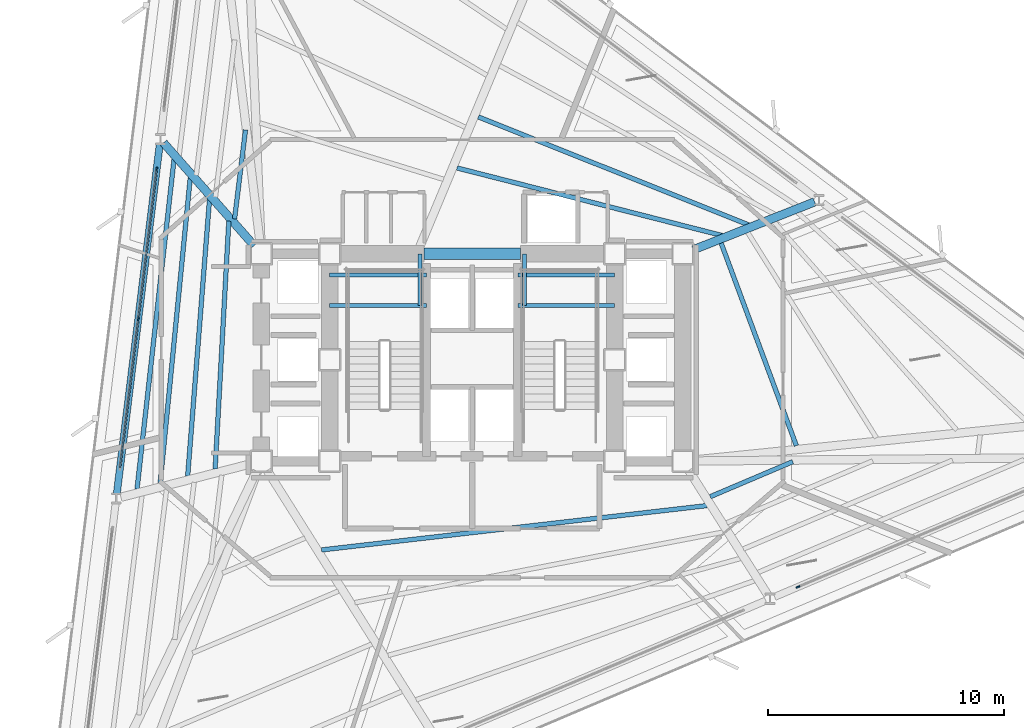
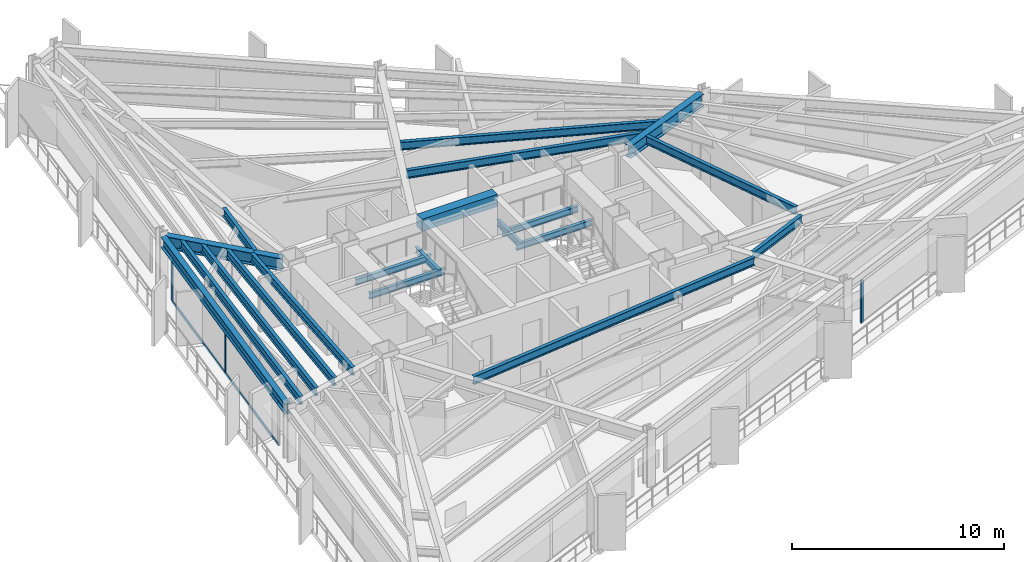
# One storey, part 3 of 13: 20 beams, 7 members, 2 elements without a shape of their own.
"""IFC4 building model written with IfcOpenShell, lengths in metres."""

from ifc_helpers import new_model, si_unit, direction, frame, origin, origin_2d, place, context, subcontext, project, spatial, rectangle, i_section, extrude, material, layer, layer_set, material_profile, profile_set, type_object, element, aggregate, save


model = new_model("IFC4")

# Units and contexts
model_context = context("Model", 3, precision=1e-05, world=origin(), true_north=direction((0.0, 1.0)))
body_context = subcontext(model_context, "Body", "Model", "MODEL_VIEW")
ifc_project = project(units=[si_unit("LENGTHUNIT", "METRE"), si_unit("AREAUNIT", "SQUARE_METRE"), si_unit("VOLUMEUNIT", "CUBIC_METRE"), si_unit("PLANEANGLEUNIT", "RADIAN"), si_unit("MASSUNIT", "GRAM", prefix="KILO")], contexts=[model_context])

# Site, building, storey
site_placement = place(None, origin())
site = spatial("IfcSite", under=ifc_project, at=site_placement, CompositionType="ELEMENT")
building_placement = place(site_placement, origin())
building = spatial("IfcBuilding", under=site, at=building_placement, Name="Rocaltana Carrier Exchange", CompositionType="ELEMENT")
storey_placement = place(building_placement, frame((0.0, 0.0, 52.9599609375)))
storey = spatial("IfcBuildingStorey", under=building, at=storey_placement, Name="L16", CompositionType="ELEMENT", Elevation=52.9599609375)

# Curtain wall, members
ifc_material_1 = material(Name="Aluminium 6063-T6", Category="aluminium")
ifc_layer = layer(ifc_material_1, 0.1650390625)
ifc_layer_set = layer_set([ifc_layer], Name="Aluminium 6063-T6")
curtain_wall_type = type_object("IfcCurtainWallType", Name="Lower-Mid Stepped Curtain Wall CW-02", PredefinedType="NOTDEFINED", material=ifc_layer_set)
curtain_wall_1_placement = place(storey_placement, origin())
curtain_wall_1 = element("IfcCurtainWall", 1, at=curtain_wall_1_placement, inside=storey, type_object=curtain_wall_type, Name="L16 CW-02 Run CW-L16-F2S2", PredefinedType="NOTDEFINED")
ifc_material_2 = material(Name="Aluminium 6063-T6", Category="aluminium")
ifc_material_profile_1 = material_profile(ifc_material_2, rectangle(XDim=0.06494140625, YDim=0.1650390625, at=origin_2d()), Name="AL-65X165")
ifc_profile_set_1 = profile_set([ifc_material_profile_1], Name="Aluminium 6063-T6")
member_type_1 = type_object("IfcMemberType", Name="CW-02 Mullion AL-65X165", PredefinedType="MULLION", material=ifc_profile_set_1)
member_1_placement = place(storey_placement, frame((-13.39404296875, 8.093505859375, 0.0), z_axis=(0.0, 0.0, 1.0), x_axis=(0.992545632614, -0.121873570472, 0.0)))
member_1 = element("IfcMember", 2, at=member_1_placement, type_object=member_type_1, Name="CW-02 mullion 1", PredefinedType="MULLION", context=body_context, shape_type="SweptSolid", body=[
    extrude(rectangle(XDim=0.06494140625, YDim=0.1650390625, at=origin_2d()), origin(), (0.0, 0.0, 1.0), 2.47802734375),
])
member_2_placement = place(storey_placement, frame((-14.17431640625, 1.740234375, 0.0), z_axis=(0.0, 0.0, 1.0), x_axis=(0.992545632614, -0.121873570472, 0.0)))
member_2 = element("IfcMember", 3, at=member_2_placement, type_object=member_type_1, Name="CW-02 mullion 2", PredefinedType="MULLION", context=body_context, shape_type="SweptSolid", body=[
    extrude(rectangle(XDim=0.06494140625, YDim=0.1650390625, at=origin_2d()), origin(), (0.0, 0.0, 1.0), 2.47802734375),
])

# Curtain wall, member
curtain_wall_2_placement = place(storey_placement, origin())
curtain_wall_2 = element("IfcCurtainWall", 4, at=curtain_wall_2_placement, inside=storey, type_object=curtain_wall_type, Name="L16 CW-02 Run CW-L16-F3S3", PredefinedType="NOTDEFINED")
member_3_placement = place(storey_placement, frame((13.8330078125, -9.642333984375, 0.0), z_axis=(0.0, 0.0, 1.0), x_axis=(-0.390735259141, 0.920503100084, 0.0)))
member_3 = element("IfcMember", 5, at=member_3_placement, type_object=member_type_1, Name="CW-02 mullion 1", PredefinedType="MULLION", context=body_context, shape_type="SweptSolid", body=[
    extrude(rectangle(XDim=0.06494140625, YDim=0.1650390625, at=origin_2d()), origin(), (0.0, 0.0, 1.0), 2.47802734375),
])
aggregate(curtain_wall_2, [member_3])

# Member
ifc_material_3 = material(Name="Aluminium 6063-T6", Category="aluminium")
ifc_material_profile_2 = material_profile(ifc_material_3, rectangle(XDim=0.06494140625, YDim=0.1650390625, at=origin_2d()), Name="AL-65X165")
ifc_profile_set_2 = profile_set([ifc_material_profile_2], Name="Aluminium 6063-T6")
member_type_2 = type_object("IfcMemberType", Name="CW-02 Transom AL-65X165", PredefinedType="USERDEFINED", material=ifc_profile_set_2)
member_4_placement = place(storey_placement, frame((-13.398193359375, 8.061279296875, 0.032470703125), z_axis=(-0.121881311797, -0.992544682034, 0.0), x_axis=(0.992544682034, -0.121881311797, 0.0)))
member_4 = element("IfcMember", 6, at=member_4_placement, type_object=member_type_2, Name="CW-02 transom 1.1", ObjectType="TRANSOM", PredefinedType="USERDEFINED", context=body_context, shape_type="SweptSolid", body=[
    extrude(rectangle(XDim=0.06494140625, YDim=0.1650390625, at=origin_2d()), origin(), (0.0, 0.0, 1.0), 6.335693359375),
])

member_5_placement = place(storey_placement, frame((-13.398193359375, 8.061279296875, 2.445556640625), z_axis=(-0.121881311797, -0.992544682034, 0.0), x_axis=(0.992544682034, -0.121881311797, 0.0)))
member_5 = element("IfcMember", 7, at=member_5_placement, type_object=member_type_2, Name="CW-02 transom 1.2", ObjectType="TRANSOM", PredefinedType="USERDEFINED", context=body_context, shape_type="SweptSolid", body=[
    extrude(rectangle(XDim=0.06494140625, YDim=0.1650390625, at=origin_2d()), origin(), (0.0, 0.0, 1.0), 6.335693359375),
])

member_6_placement = place(storey_placement, frame((-14.17822265625, 1.7080078125, 0.032470703125), z_axis=(-0.121881311797, -0.992544682034, 0.0), x_axis=(0.992544682034, -0.121881311797, 0.0)))
member_6 = element("IfcMember", 8, at=member_6_placement, type_object=member_type_2, Name="CW-02 transom 2.1", ObjectType="TRANSOM", PredefinedType="USERDEFINED", context=body_context, shape_type="SweptSolid", body=[
    extrude(rectangle(XDim=0.06494140625, YDim=0.1650390625, at=origin_2d()), origin(), (0.0, 0.0, 1.0), 6.335693359375),
])

member_7_placement = place(storey_placement, frame((-14.17822265625, 1.7080078125, 2.445556640625), z_axis=(-0.121881311797, -0.992544682034, 0.0), x_axis=(0.992544682034, -0.121881311797, 0.0)))
member_7 = element("IfcMember", 9, at=member_7_placement, type_object=member_type_2, Name="CW-02 transom 2.2", ObjectType="TRANSOM", PredefinedType="USERDEFINED", context=body_context, shape_type="SweptSolid", body=[
    extrude(rectangle(XDim=0.06494140625, YDim=0.1650390625, at=origin_2d()), origin(), (0.0, 0.0, 1.0), 6.335693359375),
])

aggregate(curtain_wall_1, [member_1, member_2, member_4, member_5, member_6, member_7])

# Beams
ifc_material_4 = material(Name="Concrete C60/75", Category="concrete")
ifc_material_profile_3 = material_profile(ifc_material_4, rectangle(XDim=0.5, YDim=0.699951171875, at=origin_2d()), Name="RC-BM-500X700")
ifc_profile_set_3 = profile_set([ifc_material_profile_3], Name="Concrete C60/75")
beam_type_1 = type_object("IfcBeamType", Name="Core Coupling Lintel 500x700", PredefinedType="LINTEL", material=ifc_profile_set_3)
beam_1_placement = place(storey_placement, frame((-2.050048828125, 4.5, 2.748046875), z_axis=(1.0, 0.0, 0.0), x_axis=(0.0, 1.0, 0.0)))
element("IfcBeam", 10, at=beam_1_placement, inside=storey, type_object=beam_type_1, Name="L16 Core Coupling Lintel CL-N", PredefinedType="LINTEL", context=body_context, shape_type="SweptSolid", body=[
    extrude(rectangle(XDim=0.5, YDim=0.699951171875, at=origin_2d()), origin(), (0.0, 0.0, 1.0), 4.10009765625),
])
ifc_material_5 = material(Name="Steel S355", Category="steel")
ifc_material_profile_4 = material_profile(ifc_material_5, i_section(OverallWidth=0.172119140625, OverallDepth=0.35791015625, WebThickness=0.0078125, FlangeThickness=0.01318359375, FilletRadius=0.011962890625, at=origin_2d()), Name="W14X38")
ifc_profile_set_4 = profile_set([ifc_material_profile_4], Name="Steel S355")
beam_type_2 = type_object("IfcBeamType", Name="Floor Joist W14X38", PredefinedType="JOIST", material=ifc_profile_set_4)
for number, where, z_axis, x_axis, name in (
    (11, (-6.050048828125, 2.300048828125, 1.301025390625), (1.0, 0.0, 0.0), (0.0, 1.0, 0.0), "L16 ST-1 Landing Carrier 1"),
    (12, (1.93994140625, 2.300048828125, 1.301025390625), (1.0, 0.0, 0.0), (0.0, 1.0, 0.0), "L16 ST-2 Landing Carrier 1"),
    (13, (-6.050048828125, 3.60009765625, 1.301025390625), (1.0, 0.0, 0.0), (0.0, 1.0, 0.0), "L16 ST-1 Landing Carrier 2"),
    (14, (1.93994140625, 3.60009765625, 1.301025390625), (1.0, 0.0, 0.0), (0.0, 1.0, 0.0), "L16 ST-2 Landing Carrier 2"),
):
    element("IfcBeam", number, at=place(storey_placement, frame(where, z_axis=z_axis, x_axis=x_axis)), inside=storey, type_object=beam_type_2, Name=name, PredefinedType="JOIST", context=body_context, shape_type="SweptSolid", body=[
        extrude(i_section(OverallWidth=0.172119140625, OverallDepth=0.35791015625, WebThickness=0.0078125, FlangeThickness=0.01318359375, FilletRadius=0.011962890625, at=origin_2d()), origin(), (0.0, 0.0, 1.0), 4.110107421875),
    ])
for number, where, z_axis, x_axis, name in (
    (15, (-2.219970703125, 2.300048828125, 1.301025390625), (0.0, 1.0, 0.0), (-1.0, 0.0, 0.0), "L16 ST-1 Landing Cross Trimmer"),
    (16, (2.219970703125, 2.300048828125, 1.301025390625), (0.0, 1.0, 0.0), (-1.0, 0.0, 0.0), "L16 ST-2 Landing Cross Trimmer"),
):
    element("IfcBeam", number, at=place(storey_placement, frame(where, z_axis=z_axis, x_axis=x_axis)), inside=storey, type_object=beam_type_2, Name=name, PredefinedType="JOIST", context=body_context, shape_type="SweptSolid", body=[
        extrude(i_section(OverallWidth=0.172119140625, OverallDepth=0.35791015625, WebThickness=0.0078125, FlangeThickness=0.01318359375, FilletRadius=0.011962890625, at=origin_2d()), origin(), (0.0, 0.0, 1.0), 2.199951171875),
    ])
ifc_material_6 = material(Name="Steel S355", Category="steel")
ifc_material_profile_5 = material_profile(ifc_material_6, i_section(OverallWidth=0.193115234375, OverallDepth=0.466064453125, WebThickness=0.011474609375, FlangeThickness=0.01904296875, FilletRadius=0.013916015625, at=origin_2d()), Name="W18X65")
ifc_profile_set_5 = profile_set([ifc_material_profile_5], Name="Steel S355")
beam_type_3 = type_object("IfcBeamType", Name="Floor Joist W18X65", PredefinedType="JOIST", material=ifc_profile_set_5)
beam_2_placement = place(storey_placement, frame((13.7646484375, -3.644287109375, 2.864990234375), z_axis=(-0.348190538878, 0.937423782841, 0.0), x_axis=(-0.937423782841, -0.348190538878, 0.0)))
element("IfcBeam", 17, at=beam_2_placement, inside=storey, type_object=beam_type_3, Name="FJ-L16-01-1", PredefinedType="JOIST", context=body_context, shape_type="SweptSolid", body=[
    extrude(i_section(OverallWidth=0.193115234375, OverallDepth=0.466064453125, WebThickness=0.011474609375, FlangeThickness=0.01904296875, FilletRadius=0.013916015625, at=origin_2d()), origin(), (0.0, 0.0, 1.0), 9.17333984375),
])
beam_3_placement = place(storey_placement, frame((10.633544921875, 5.272216796875, 2.864990234375), z_axis=(-0.969019358716, 0.246984781785, 0.0), x_axis=(-0.246984781785, -0.969019358716, 0.0)))
element("IfcBeam", 18, at=beam_3_placement, inside=storey, type_object=beam_type_3, Name="FJ-L16-02-1", PredefinedType="JOIST", context=body_context, shape_type="SweptSolid", body=[
    extrude(i_section(OverallWidth=0.193115234375, OverallDepth=0.466064453125, WebThickness=0.011474609375, FlangeThickness=0.01904296875, FilletRadius=0.013916015625, at=origin_2d()), origin(), (0.0, 0.0, 1.0), 11.639404296875),
])
beam_4_placement = place(storey_placement, frame((11.73876953125, 5.72705078125, 2.864990234375), z_axis=(-0.928527082135, 0.371264673436, 0.0), x_axis=(-0.371264673436, -0.928527082135, 0.0)))
element("IfcBeam", 19, at=beam_4_placement, inside=storey, type_object=beam_type_3, Name="FJ-L16-02-2", PredefinedType="JOIST", context=body_context, shape_type="SweptSolid", body=[
    extrude(i_section(OverallWidth=0.193115234375, OverallDepth=0.466064453125, WebThickness=0.011474609375, FlangeThickness=0.01904296875, FilletRadius=0.013916015625, at=origin_2d()), origin(), (0.0, 0.0, 1.0), 12.36083984375),
])
beam_5_placement = place(storey_placement, frame((-9.623046875, 9.76171875, 2.864990234375), z_axis=(-0.121879106214, -0.99254495287, 0.0), x_axis=(0.99254495287, -0.121879106214, 0.0)))
element("IfcBeam", 20, at=beam_5_placement, inside=storey, type_object=beam_type_3, Name="FJ-L16-05-1", PredefinedType="JOIST", context=body_context, shape_type="SweptSolid", body=[
    extrude(i_section(OverallWidth=0.193115234375, OverallDepth=0.466064453125, WebThickness=0.011474609375, FlangeThickness=0.01904296875, FilletRadius=0.013916015625, at=origin_2d()), origin(), (0.0, 0.0, 1.0), 3.805908203125),
])
beam_6_placement = place(storey_placement, frame((-10.33154296875, 5.885986328125, 2.864990234375), z_axis=(-0.055068403042, -0.998482584218, 0.0), x_axis=(0.998482584218, -0.055068403042, 0.0)))
element("IfcBeam", 21, at=beam_6_placement, inside=storey, type_object=beam_type_3, Name="FJ-L16-06-1", PredefinedType="JOIST", context=body_context, shape_type="SweptSolid", body=[
    extrude(i_section(OverallWidth=0.193115234375, OverallDepth=0.466064453125, WebThickness=0.011474609375, FlangeThickness=0.01904296875, FilletRadius=0.013916015625, at=origin_2d()), origin(), (0.0, 0.0, 1.0), 10.5380859375),
])
beam_7_placement = place(storey_placement, frame((-11.150390625, 6.810791015625, 2.864990234375), z_axis=(-0.078741493591, -0.996895068293, 0.0), x_axis=(0.996895068293, -0.078741493591, 0.0)))
element("IfcBeam", 22, at=beam_7_placement, inside=storey, type_object=beam_type_3, Name="FJ-L16-06-2", PredefinedType="JOIST", context=body_context, shape_type="SweptSolid", body=[
    extrude(i_section(OverallWidth=0.193115234375, OverallDepth=0.466064453125, WebThickness=0.011474609375, FlangeThickness=0.01904296875, FilletRadius=0.013916015625, at=origin_2d()), origin(), (0.0, 0.0, 1.0), 11.78515625),
])
beam_8_placement = place(storey_placement, frame((-11.96826171875, 7.73583984375, 2.864990234375), z_axis=(-0.097972183255, -0.995189153532, 0.0), x_axis=(0.995189153532, -0.097972183255, 0.0)))
element("IfcBeam", 23, at=beam_8_placement, inside=storey, type_object=beam_type_3, Name="FJ-L16-06-3", PredefinedType="JOIST", context=body_context, shape_type="SweptSolid", body=[
    extrude(i_section(OverallWidth=0.193115234375, OverallDepth=0.466064453125, WebThickness=0.011474609375, FlangeThickness=0.01904296875, FilletRadius=0.013916015625, at=origin_2d()), origin(), (0.0, 0.0, 1.0), 13.037841796875),
])
beam_9_placement = place(storey_placement, frame((-12.65673828125, 8.5146484375, 2.864990234375), z_axis=(-0.111539715424, -0.993759976998, 0.0), x_axis=(0.993759976998, -0.111539715424, 0.0)))
element("IfcBeam", 24, at=beam_9_placement, inside=storey, type_object=beam_type_3, Name="FJ-L16-06-4", PredefinedType="JOIST", context=body_context, shape_type="SweptSolid", body=[
    extrude(i_section(OverallWidth=0.193115234375, OverallDepth=0.466064453125, WebThickness=0.011474609375, FlangeThickness=0.01904296875, FilletRadius=0.013916015625, at=origin_2d()), origin(), (0.0, 0.0, 1.0), 14.095947265625),
])
beam_10_placement = place(storey_placement, frame((-6.393310546875, -8.071533203125, 2.864990234375), z_axis=(0.993445833528, 0.114303875027, 0.0), x_axis=(-0.114303875027, 0.993445833528, 0.0)))
element("IfcBeam", 25, at=beam_10_placement, inside=storey, type_object=beam_type_3, Name="FJ-L16-10-1", PredefinedType="JOIST", context=body_context, shape_type="SweptSolid", body=[
    extrude(i_section(OverallWidth=0.193115234375, OverallDepth=0.466064453125, WebThickness=0.011474609375, FlangeThickness=0.01904296875, FilletRadius=0.013916015625, at=origin_2d()), origin(), (0.0, 0.0, 1.0), 16.465576171875),
])
beam_11_placement = place(storey_placement, frame((10.107421875, -5.810791015625, 2.864990234375), z_axis=(0.920496503987, 0.390750798013, 0.0), x_axis=(-0.390750798013, 0.920496503987, 0.0)))
element("IfcBeam", 26, at=beam_11_placement, inside=storey, type_object=beam_type_3, Name="FJ-L16-11-1", PredefinedType="JOIST", context=body_context, shape_type="SweptSolid", body=[
    extrude(i_section(OverallWidth=0.193115234375, OverallDepth=0.466064453125, WebThickness=0.011474609375, FlangeThickness=0.01904296875, FilletRadius=0.013916015625, at=origin_2d()), origin(), (0.0, 0.0, 1.0), 3.80615234375),
])
ifc_material_7 = material(Name="Steel S355", Category="steel")
ifc_material_profile_6 = material_profile(ifc_material_7, i_section(OverallWidth=0.35498046875, OverallDepth=0.695068359375, WebThickness=0.015380859375, FlangeThickness=0.02490234375, FilletRadius=0.01806640625, at=origin_2d()), Name="W27X146")
ifc_profile_set_6 = profile_set([ifc_material_profile_6], Name="Steel S355")
beam_type_4 = type_object("IfcBeamType", Name="Radial Girder W27X146", PredefinedType="BEAM", material=ifc_profile_set_6)
beam_12_placement = place(storey_placement, frame((9.384521484375, 4.67138671875, 2.75048828125), z_axis=(0.930182926825, 0.36709633973, 0.0), x_axis=(-0.36709633973, 0.930182926825, 0.0)))
element("IfcBeam", 27, at=beam_12_placement, inside=storey, type_object=beam_type_4, Name="RG-L16-02", PredefinedType="BEAM", context=body_context, shape_type="SweptSolid", body=[
    extrude(i_section(OverallWidth=0.35498046875, OverallDepth=0.695068359375, WebThickness=0.015380859375, FlangeThickness=0.02490234375, FilletRadius=0.01806640625, at=origin_2d()), origin(), (0.0, 0.0, 1.0), 5.543212890625),
])
beam_13_placement = place(storey_placement, frame((-9.2587890625, 4.850341796875, 2.75048828125), z_axis=(-0.661089638408, 0.750306930522, 0.0), x_axis=(-0.750306930522, -0.661089638408, 0.0)))
element("IfcBeam", 28, at=beam_13_placement, inside=storey, type_object=beam_type_4, Name="RG-L16-06", PredefinedType="BEAM", context=body_context, shape_type="SweptSolid", body=[
    extrude(i_section(OverallWidth=0.35498046875, OverallDepth=0.695068359375, WebThickness=0.015380859375, FlangeThickness=0.02490234375, FilletRadius=0.01806640625, at=origin_2d()), origin(), (0.0, 0.0, 1.0), 5.81494140625),
])
ifc_material_8 = material(Name="Steel S355", Category="steel")
ifc_material_profile_7 = material_profile(ifc_material_8, i_section(OverallWidth=0.300048828125, OverallDepth=0.60009765625, WebThickness=0.015380859375, FlangeThickness=0.030029296875, FilletRadius=0.027099609375, at=origin_2d()), Name="HEB600")
ifc_profile_set_7 = profile_set([ifc_material_profile_7], Name="Steel S355")
beam_type_5 = type_object("IfcBeamType", Name="Spandrel Edge Beam HEB600", PredefinedType="SPANDREL", material=ifc_profile_set_7)
beam_14_placement = place(storey_placement, frame((-13.2626953125, 9.163818359375, 2.798095703125), z_axis=(-0.121870991454, -0.992545949285, 0.0), x_axis=(0.992545949285, -0.121870991454, 0.0)))
element("IfcBeam", 29, at=beam_14_placement, inside=storey, type_object=beam_type_5, Name="SP-L16-06", PredefinedType="SPANDREL", context=body_context, shape_type="SweptSolid", body=[
    extrude(i_section(OverallWidth=0.300048828125, OverallDepth=0.60009765625, WebThickness=0.015380859375, FlangeThickness=0.030029296875, FilletRadius=0.027099609375, at=origin_2d()), origin(), (0.0, 0.0, 1.0), 14.95849609375),
])

save(model, "model.ifc")
